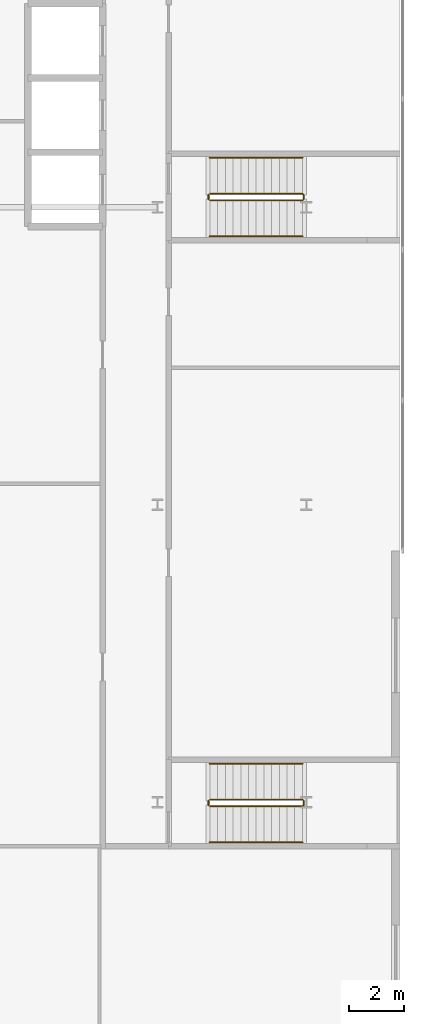
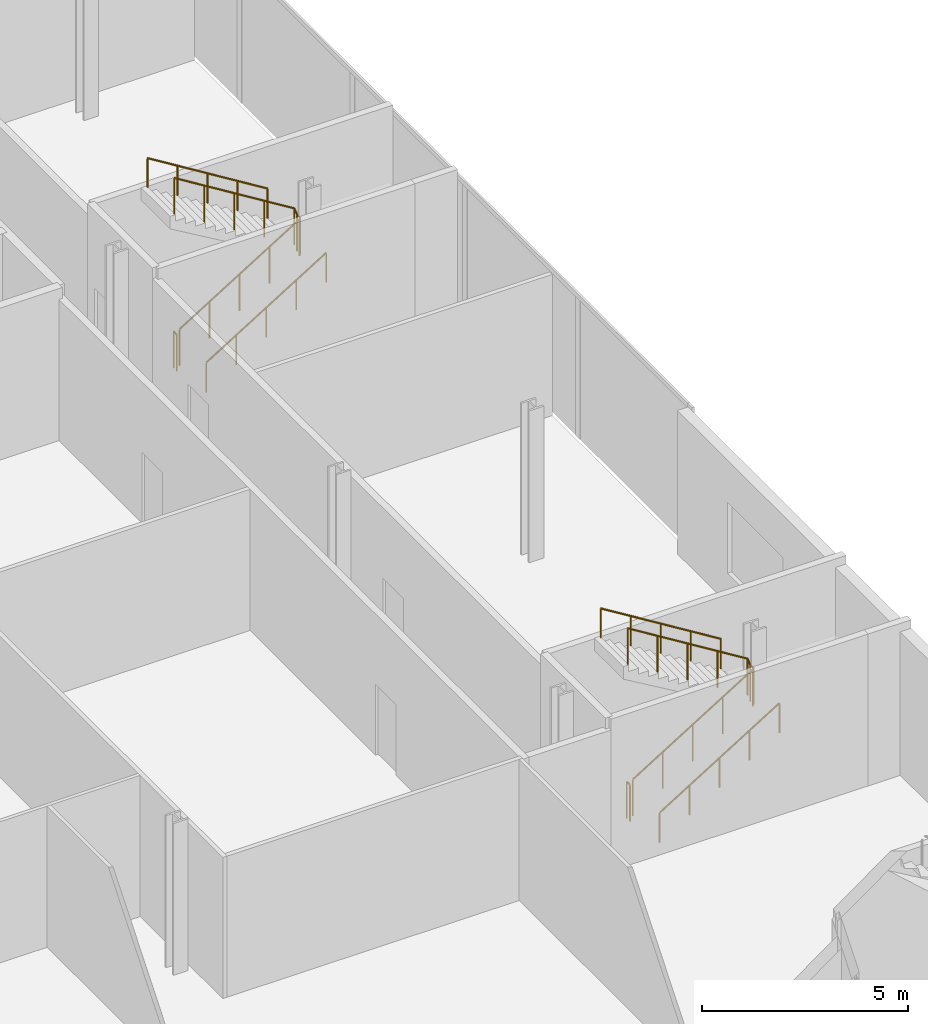
# One storey, part 44 of 47: 8 railings.
"""IFC4 building model written with IfcOpenShell, lengths in metres."""

from ifc_helpers import new_model, si_unit, direction, frame, origin, origin_2d, place, context, subcontext, project, spatial, circle, extrude, material, type_object, element, save


model = new_model("IFC4")

# Units and contexts
model_context = context("Model", 3, precision=1e-05, world=origin(), true_north=direction((0.0, 1.0)))
body_context = subcontext(model_context, "Body", "Model", "MODEL_VIEW")
ifc_project = project(units=[si_unit("LENGTHUNIT", "METRE"), si_unit("AREAUNIT", "SQUARE_METRE"), si_unit("VOLUMEUNIT", "CUBIC_METRE"), si_unit("PLANEANGLEUNIT", "RADIAN"), si_unit("MASSUNIT", "GRAM", prefix="KILO")], contexts=[model_context])

# Site, building, storey
site_placement = place(None, origin())
site = spatial("IfcSite", under=ifc_project, at=site_placement, CompositionType="ELEMENT")
building_placement = place(site_placement, origin())
building = spatial("IfcBuilding", under=site, at=building_placement, Name="Kheshtan School and Residences Tower", CompositionType="ELEMENT")
storey_placement = place(building_placement, frame((0.0, 0.0, 12.5)))
storey = spatial("IfcBuildingStorey", under=building, at=storey_placement, Name="L02", CompositionType="ELEMENT", Elevation=12.5)

# Railings
ifc_material_1 = material(Name="Stainless steel balustrade", Category="steel")
railing_type_1 = type_object("IfcRailingType", Name="Stair guard 1100", PredefinedType="GUARDRAIL", material=ifc_material_1)
railing_1_placement = place(storey_placement, frame((125.10009765625, 45.449951171875, 0.173095703125)))
element("IfcRailing", 1, at=railing_1_placement, inside=storey, type_object=railing_type_1, Name="L02 PS-124-044 stair guard 1", PredefinedType="GUARDRAIL", context=body_context, shape_type="SweptSolid", body=[
    extrude(circle(Radius=0.02392578125, at=origin_2d()), frame((0.0, 0.0, 1.076171875), z_axis=(0.850606129759, 0.0, 0.525803396734), x_axis=(0.0, 1.0, 0.0)), (0.0, 0.0, 1.0), 3.949951171875),
    extrude(circle(Radius=0.02392578125, at=origin_2d()), frame((3.35986328125, 0.0, 3.15283203125), z_axis=(0.707106781187, 0.707106781187, 0.0), x_axis=(-0.707106781187, 0.707106781187, 0.0)), (0.0, 0.0, 1.0), 0.07080078125),
    extrude(circle(Radius=0.02392578125, at=origin_2d()), frame((3.409912109375, 0.050048828125, 3.15283203125), z_axis=(0.0, 1.0, 0.0), x_axis=(-1.0, 0.0, 0.0)), (0.0, 0.0, 1.0), 0.14990234375),
    extrude(circle(Radius=0.02392578125, at=origin_2d()), frame((3.409912109375, 0.199951171875, 3.15283203125), z_axis=(-0.267629722418, 0.267629722418, 0.925607186314), x_axis=(-0.707106781187, -0.707106781187, 0.0)), (0.0, 0.0, 1.0), 0.18701171875),
    extrude(circle(Radius=0.02392578125, at=origin_2d()), frame((3.35986328125, 0.25, 3.326171875), z_axis=(-0.850606129759, 0.0, 0.525803396734), x_axis=(0.0, -1.0, 0.0)), (0.0, 0.0, 1.0), 3.949951171875),
    extrude(circle(Radius=0.02099609375, at=origin_2d()), origin(), (0.0, 0.0, 1.0), 1.052001953125),
    extrude(circle(Radius=0.02099609375, at=origin_2d()), frame((0.83984375, 0.0, 0.519287109375)), (0.0, 0.0, 1.0), 1.052001953125),
    extrude(circle(Radius=0.02099609375, at=origin_2d()), frame((1.679931640625, 0.0, 1.03857421875)), (0.0, 0.0, 1.0), 1.052001953125),
    extrude(circle(Radius=0.02099609375, at=origin_2d()), frame((2.52001953125, 0.0, 1.5576171875)), (0.0, 0.0, 1.0), 1.052001953125),
    extrude(circle(Radius=0.02099609375, at=origin_2d()), frame((3.35986328125, 0.0, 2.076904296875)), (0.0, 0.0, 1.0), 1.052001953125),
    extrude(circle(Radius=0.02099609375, at=origin_2d()), frame((3.409912109375, 0.050048828125, 2.076904296875)), (0.0, 0.0, 1.0), 1.052001953125),
    extrude(circle(Radius=0.02099609375, at=origin_2d()), frame((3.409912109375, 0.199951171875, 2.076904296875)), (0.0, 0.0, 1.0), 1.052001953125),
    extrude(circle(Radius=0.02099609375, at=origin_2d()), frame((3.35986328125, 0.25, 2.25)), (0.0, 0.0, 1.0), 1.052001953125),
    extrude(circle(Radius=0.02099609375, at=origin_2d()), frame((2.52001953125, 0.25, 2.769287109375)), (0.0, 0.0, 1.0), 1.052001953125),
    extrude(circle(Radius=0.02099609375, at=origin_2d()), frame((1.679931640625, 0.25, 3.28857421875)), (0.0, 0.0, 1.0), 1.052001953125),
    extrude(circle(Radius=0.02099609375, at=origin_2d()), frame((0.83984375, 0.25, 3.8076171875)), (0.0, 0.0, 1.0), 1.052001953125),
    extrude(circle(Radius=0.02099609375, at=origin_2d()), frame((0.0, 0.25, 4.326904296875)), (0.0, 0.0, 1.0), 1.052001953125),
])
railing_2_placement = place(storey_placement, frame((125.050048828125, 45.5, 0.0)))
element("IfcRailing", 2, at=railing_2_placement, inside=storey, type_object=railing_type_1, Name="L02 PS-124-044 stair guard 2", PredefinedType="GUARDRAIL", context=body_context, shape_type="SweptSolid", body=[
    extrude(circle(Radius=0.02392578125, at=origin_2d()), frame((0.0, 0.0, 1.076171875), z_axis=(0.0, 1.0, 0.0), x_axis=(-1.0, 0.0, 0.0)), (0.0, 0.0, 1.0), 0.14990234375),
    extrude(circle(Radius=0.02099609375, at=origin_2d()), origin(), (0.0, 0.0, 1.0), 1.052001953125),
    extrude(circle(Radius=0.02099609375, at=origin_2d()), frame((0.0, 0.14990234375, 0.0)), (0.0, 0.0, 1.0), 1.052001953125),
])
railing_3_placement = place(storey_placement, frame((125.10009765625, 67.449951171875, 0.173095703125)))
element("IfcRailing", 3, at=railing_3_placement, inside=storey, type_object=railing_type_1, Name="L02 PS-124-066 stair guard 1", PredefinedType="GUARDRAIL", context=body_context, shape_type="SweptSolid", body=[
    extrude(circle(Radius=0.02392578125, at=origin_2d()), frame((0.0, 0.0, 1.076171875), z_axis=(0.850606129759, 0.0, 0.525803396734), x_axis=(0.0, 1.0, 0.0)), (0.0, 0.0, 1.0), 3.949951171875),
    extrude(circle(Radius=0.02392578125, at=origin_2d()), frame((3.35986328125, 0.0, 3.15283203125), z_axis=(0.707106781187, 0.707106781187, 0.0), x_axis=(-0.707106781187, 0.707106781187, 0.0)), (0.0, 0.0, 1.0), 0.07080078125),
    extrude(circle(Radius=0.02392578125, at=origin_2d()), frame((3.409912109375, 0.050048828125, 3.15283203125), z_axis=(0.0, 1.0, 0.0), x_axis=(-1.0, 0.0, 0.0)), (0.0, 0.0, 1.0), 0.14990234375),
    extrude(circle(Radius=0.02392578125, at=origin_2d()), frame((3.409912109375, 0.199951171875, 3.15283203125), z_axis=(-0.267629722418, 0.267629722418, 0.925607186314), x_axis=(-0.707106781187, -0.707106781187, 0.0)), (0.0, 0.0, 1.0), 0.18701171875),
    extrude(circle(Radius=0.02392578125, at=origin_2d()), frame((3.35986328125, 0.25, 3.326171875), z_axis=(-0.850606129759, 0.0, 0.525803396734), x_axis=(0.0, -1.0, 0.0)), (0.0, 0.0, 1.0), 3.949951171875),
    extrude(circle(Radius=0.02099609375, at=origin_2d()), origin(), (0.0, 0.0, 1.0), 1.052001953125),
    extrude(circle(Radius=0.02099609375, at=origin_2d()), frame((0.83984375, 0.0, 0.519287109375)), (0.0, 0.0, 1.0), 1.052001953125),
    extrude(circle(Radius=0.02099609375, at=origin_2d()), frame((1.679931640625, 0.0, 1.03857421875)), (0.0, 0.0, 1.0), 1.052001953125),
    extrude(circle(Radius=0.02099609375, at=origin_2d()), frame((2.52001953125, 0.0, 1.5576171875)), (0.0, 0.0, 1.0), 1.052001953125),
    extrude(circle(Radius=0.02099609375, at=origin_2d()), frame((3.35986328125, 0.0, 2.076904296875)), (0.0, 0.0, 1.0), 1.052001953125),
    extrude(circle(Radius=0.02099609375, at=origin_2d()), frame((3.409912109375, 0.050048828125, 2.076904296875)), (0.0, 0.0, 1.0), 1.052001953125),
    extrude(circle(Radius=0.02099609375, at=origin_2d()), frame((3.409912109375, 0.199951171875, 2.076904296875)), (0.0, 0.0, 1.0), 1.052001953125),
    extrude(circle(Radius=0.02099609375, at=origin_2d()), frame((3.35986328125, 0.25, 2.25)), (0.0, 0.0, 1.0), 1.052001953125),
    extrude(circle(Radius=0.02099609375, at=origin_2d()), frame((2.52001953125, 0.25, 2.769287109375)), (0.0, 0.0, 1.0), 1.052001953125),
    extrude(circle(Radius=0.02099609375, at=origin_2d()), frame((1.679931640625, 0.25, 3.28857421875)), (0.0, 0.0, 1.0), 1.052001953125),
    extrude(circle(Radius=0.02099609375, at=origin_2d()), frame((0.83984375, 0.25, 3.8076171875)), (0.0, 0.0, 1.0), 1.052001953125),
    extrude(circle(Radius=0.02099609375, at=origin_2d()), frame((0.0, 0.25, 4.326904296875)), (0.0, 0.0, 1.0), 1.052001953125),
])
railing_4_placement = place(storey_placement, frame((125.050048828125, 67.5, 0.0)))
element("IfcRailing", 4, at=railing_4_placement, inside=storey, type_object=railing_type_1, Name="L02 PS-124-066 stair guard 2", PredefinedType="GUARDRAIL", context=body_context, shape_type="SweptSolid", body=[
    extrude(circle(Radius=0.02392578125, at=origin_2d()), frame((0.0, 0.0, 1.076171875), z_axis=(0.0, 1.0, 0.0), x_axis=(-1.0, 0.0, 0.0)), (0.0, 0.0, 1.0), 0.14990234375),
    extrude(circle(Radius=0.02099609375, at=origin_2d()), origin(), (0.0, 0.0, 1.0), 1.052001953125),
    extrude(circle(Radius=0.02099609375, at=origin_2d()), frame((0.0, 0.14990234375, 0.0)), (0.0, 0.0, 1.0), 1.052001953125),
])
ifc_material_2 = material(Name="Stainless steel handrail", Category="steel")
railing_type_2 = type_object("IfcRailingType", Name="Stair handrail 900", PredefinedType="HANDRAIL", material=ifc_material_2)
railing_5_placement = place(storey_placement, frame((125.10009765625, 44.14990234375, 0.173095703125)))
element("IfcRailing", 5, at=railing_5_placement, inside=storey, type_object=railing_type_2, Name="L02 PS-124-044 stair handrail 1", PredefinedType="HANDRAIL", context=body_context, shape_type="SweptSolid", body=[
    extrude(circle(Radius=0.02392578125, at=origin_2d()), frame((0.0, 0.0, 0.8759765625), z_axis=(0.850606129759, 0.0, 0.525803396734), x_axis=(0.0, 1.0, 0.0)), (0.0, 0.0, 1.0), 3.949951171875),
    extrude(circle(Radius=0.02099609375, at=origin_2d()), origin(), (0.0, 0.0, 1.0), 0.851806640625),
    extrude(circle(Radius=0.02099609375, at=origin_2d()), frame((0.83984375, 0.0, 0.519287109375)), (0.0, 0.0, 1.0), 0.851806640625),
    extrude(circle(Radius=0.02099609375, at=origin_2d()), frame((1.679931640625, 0.0, 1.03857421875)), (0.0, 0.0, 1.0), 0.851806640625),
    extrude(circle(Radius=0.02099609375, at=origin_2d()), frame((2.52001953125, 0.0, 1.5576171875)), (0.0, 0.0, 1.0), 0.851806640625),
    extrude(circle(Radius=0.02099609375, at=origin_2d()), frame((3.35986328125, 0.0, 2.076904296875)), (0.0, 0.0, 1.0), 0.851806640625),
])
railing_6_placement = place(storey_placement, frame((128.4599609375, 47.0, 2.423095703125)))
element("IfcRailing", 6, at=railing_6_placement, inside=storey, type_object=railing_type_2, Name="L02 PS-124-044 stair handrail 2", PredefinedType="HANDRAIL", context=body_context, shape_type="SweptSolid", body=[
    extrude(circle(Radius=0.02392578125, at=origin_2d()), frame((0.0, 0.0, 0.8759765625), z_axis=(-0.850606129759, 0.0, 0.525803396734), x_axis=(0.0, -1.0, 0.0)), (0.0, 0.0, 1.0), 3.949951171875),
    extrude(circle(Radius=0.02099609375, at=origin_2d()), origin(), (0.0, 0.0, 1.0), 0.851806640625),
    extrude(circle(Radius=0.02099609375, at=origin_2d()), frame((-0.83984375, 0.0, 0.519287109375)), (0.0, 0.0, 1.0), 0.851806640625),
    extrude(circle(Radius=0.02099609375, at=origin_2d()), frame((-1.679931640625, 0.0, 1.03857421875)), (0.0, 0.0, 1.0), 0.851806640625),
    extrude(circle(Radius=0.02099609375, at=origin_2d()), frame((-2.52001953125, 0.0, 1.5576171875)), (0.0, 0.0, 1.0), 0.851806640625),
    extrude(circle(Radius=0.02099609375, at=origin_2d()), frame((-3.35986328125, 0.0, 2.076904296875)), (0.0, 0.0, 1.0), 0.851806640625),
])
railing_7_placement = place(storey_placement, frame((125.10009765625, 66.14990234375, 0.173095703125)))
element("IfcRailing", 7, at=railing_7_placement, inside=storey, type_object=railing_type_2, Name="L02 PS-124-066 stair handrail 1", PredefinedType="HANDRAIL", context=body_context, shape_type="SweptSolid", body=[
    extrude(circle(Radius=0.02392578125, at=origin_2d()), frame((0.0, 0.0, 0.8759765625), z_axis=(0.850606129759, 0.0, 0.525803396734), x_axis=(0.0, 1.0, 0.0)), (0.0, 0.0, 1.0), 3.949951171875),
    extrude(circle(Radius=0.02099609375, at=origin_2d()), origin(), (0.0, 0.0, 1.0), 0.851806640625),
    extrude(circle(Radius=0.02099609375, at=origin_2d()), frame((0.83984375, 0.0, 0.519287109375)), (0.0, 0.0, 1.0), 0.851806640625),
    extrude(circle(Radius=0.02099609375, at=origin_2d()), frame((1.679931640625, 0.0, 1.03857421875)), (0.0, 0.0, 1.0), 0.851806640625),
    extrude(circle(Radius=0.02099609375, at=origin_2d()), frame((2.52001953125, 0.0, 1.5576171875)), (0.0, 0.0, 1.0), 0.851806640625),
    extrude(circle(Radius=0.02099609375, at=origin_2d()), frame((3.35986328125, 0.0, 2.076904296875)), (0.0, 0.0, 1.0), 0.851806640625),
])
railing_8_placement = place(storey_placement, frame((128.4599609375, 69.0, 2.423095703125)))
element("IfcRailing", 8, at=railing_8_placement, inside=storey, type_object=railing_type_2, Name="L02 PS-124-066 stair handrail 2", PredefinedType="HANDRAIL", context=body_context, shape_type="SweptSolid", body=[
    extrude(circle(Radius=0.02392578125, at=origin_2d()), frame((0.0, 0.0, 0.8759765625), z_axis=(-0.850606129759, 0.0, 0.525803396734), x_axis=(0.0, -1.0, 0.0)), (0.0, 0.0, 1.0), 3.949951171875),
    extrude(circle(Radius=0.02099609375, at=origin_2d()), origin(), (0.0, 0.0, 1.0), 0.851806640625),
    extrude(circle(Radius=0.02099609375, at=origin_2d()), frame((-0.83984375, 0.0, 0.519287109375)), (0.0, 0.0, 1.0), 0.851806640625),
    extrude(circle(Radius=0.02099609375, at=origin_2d()), frame((-1.679931640625, 0.0, 1.03857421875)), (0.0, 0.0, 1.0), 0.851806640625),
    extrude(circle(Radius=0.02099609375, at=origin_2d()), frame((-2.52001953125, 0.0, 1.5576171875)), (0.0, 0.0, 1.0), 0.851806640625),
    extrude(circle(Radius=0.02099609375, at=origin_2d()), frame((-3.35986328125, 0.0, 2.076904296875)), (0.0, 0.0, 1.0), 0.851806640625),
])

save(model, "model.ifc")
